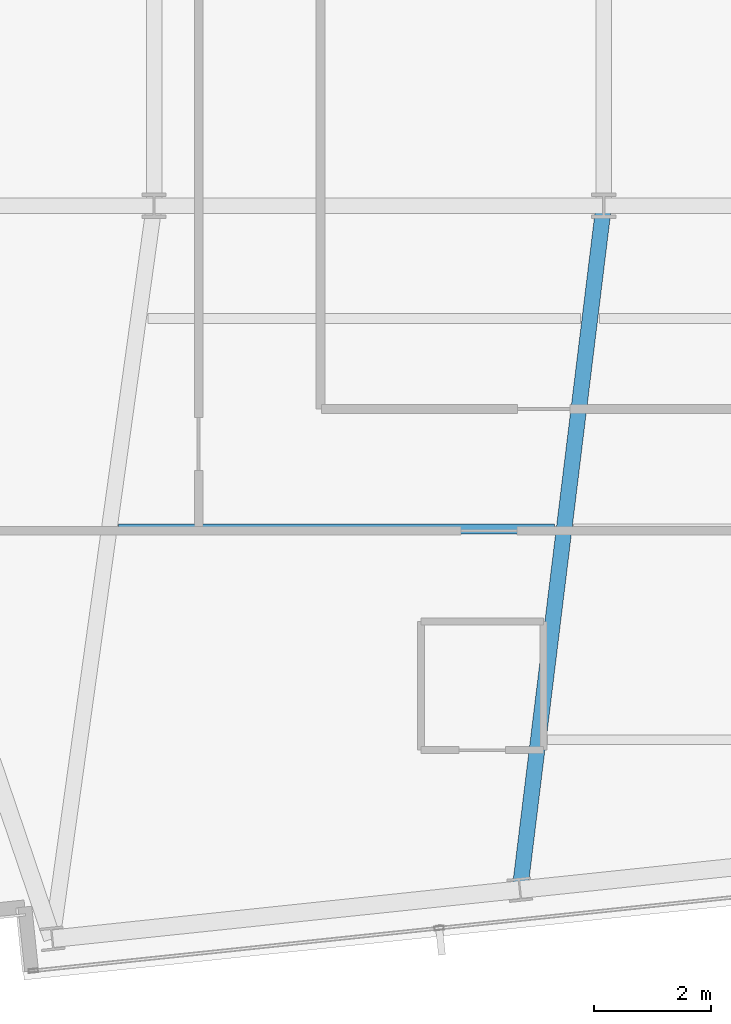
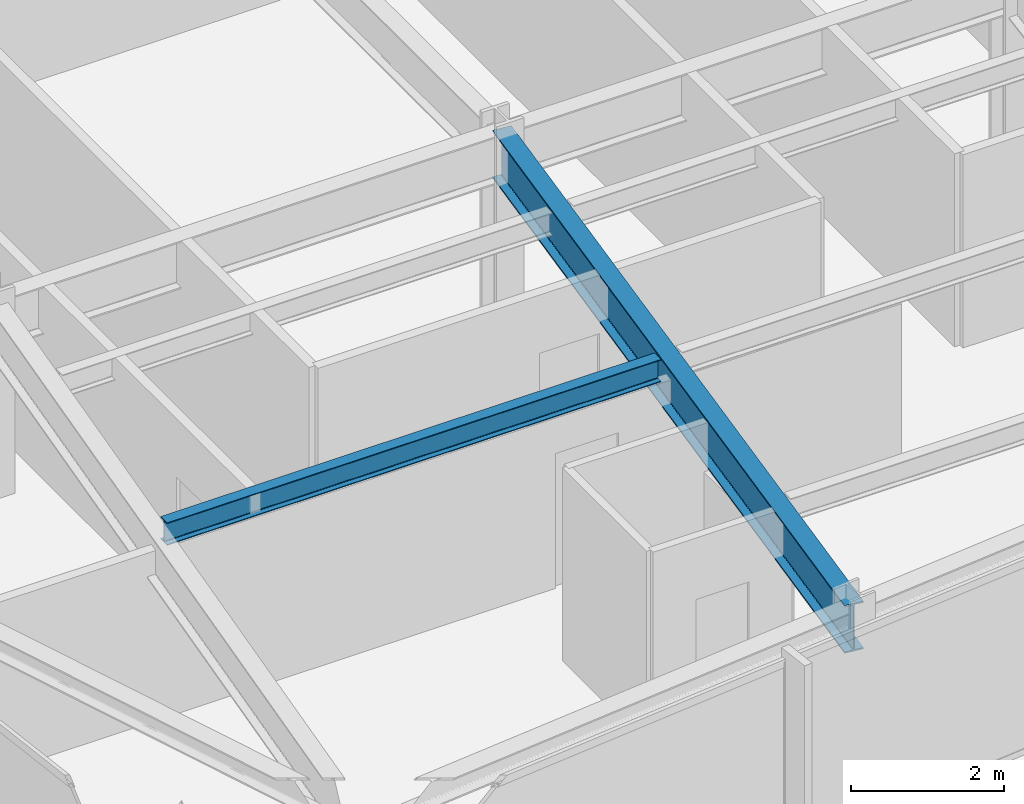
# One storey, part 4 of 32: 2 beams.
"""IFC4 building model written with IfcOpenShell, lengths in metres."""

from ifc_helpers import new_model, si_unit, direction, frame, origin, origin_2d, place, context, subcontext, project, spatial, i_section, extrude, material, material_profile, profile_set, type_object, element, save


model = new_model("IFC4")

# Units and contexts
model_context = context("Model", 3, precision=1e-05, world=origin(), true_north=direction((0.0, 1.0)))
body_context = subcontext(model_context, "Body", "Model", "MODEL_VIEW")
ifc_project = project(units=[si_unit("LENGTHUNIT", "METRE"), si_unit("AREAUNIT", "SQUARE_METRE"), si_unit("VOLUMEUNIT", "CUBIC_METRE"), si_unit("PLANEANGLEUNIT", "RADIAN"), si_unit("MASSUNIT", "GRAM", prefix="KILO")], contexts=[model_context])

# Site, building, storey
site_placement = place(None, origin())
site = spatial("IfcSite", under=ifc_project, at=site_placement, CompositionType="ELEMENT")
building_placement = place(site_placement, origin())
building = spatial("IfcBuilding", under=site, at=building_placement, Name="Yelkora Congress Tower", CompositionType="ELEMENT")
storey_placement = place(building_placement, frame((0.0, 0.0, 211.10009765625)))
storey = spatial("IfcBuildingStorey", under=building, at=storey_placement, Name="L58", CompositionType="ELEMENT", Elevation=211.10009765625)

# Beams
ifc_material = material(Name="Steel S355J2", Category="steel")
ifc_material_profile_1 = material_profile(ifc_material, i_section(OverallWidth=0.26708984375, OverallDepth=0.761962890625, WebThickness=0.014404296875, FlangeThickness=0.021484375, FilletRadius=0.01708984375, at=origin_2d()), Name="IPE 750x173")
ifc_profile_set_1 = profile_set([ifc_material_profile_1], Name="Steel S355J2")
beam_type_1 = type_object("IfcBeamType", Name="BM-GIRD-IPE750", PredefinedType="BEAM", material=ifc_profile_set_1)
beam_1_placement = place(storey_placement, frame((29.288330078125, 13.518310546875, 2.698974609375), z_axis=(0.121644630436, 0.992573717104, 0.0), x_axis=(-0.992573717104, 0.121644630436, 0.0)))
element("IfcBeam", 1, at=beam_1_placement, inside=storey, type_object=beam_type_1, Name="L58 Primary Frame Girder S02", PredefinedType="BEAM", context=body_context, shape_type="SweptSolid", body=[
    extrude(i_section(OverallWidth=0.26708984375, OverallDepth=0.761962890625, WebThickness=0.014404296875, FlangeThickness=0.021484375, FilletRadius=0.01708984375, at=origin_2d()), origin(), (0.0, 0.0, 1.0), 11.76904296875),
])
ifc_material_profile_2 = material_profile(ifc_material, i_section(OverallWidth=0.169921875, OverallDepth=0.360107421875, WebThickness=0.008056640625, FlangeThickness=0.0126953125, FilletRadius=0.01806640625, at=origin_2d()), Name="IPE 360")
ifc_profile_set_2 = profile_set([ifc_material_profile_2], Name="Steel S355J2")
beam_type_2 = type_object("IfcBeamType", Name="BM-JOIST-IPE360", PredefinedType="JOIST", material=ifc_profile_set_2)
beam_2_placement = place(storey_placement, frame((22.432373046875, 19.678466796875, 2.89990234375), z_axis=(1.0, 0.0, 0.0), x_axis=(0.0, 1.0, 0.0)))
element("IfcBeam", 2, at=beam_2_placement, inside=storey, type_object=beam_type_2, Name="L58 Composite Floor Joist 3", PredefinedType="JOIST", context=body_context, shape_type="SweptSolid", body=[
    extrude(i_section(OverallWidth=0.169921875, OverallDepth=0.360107421875, WebThickness=0.008056640625, FlangeThickness=0.0126953125, FilletRadius=0.01806640625, at=origin_2d()), origin(), (0.0, 0.0, 1.0), 7.450927734375),
])

save(model, "model.ifc")
